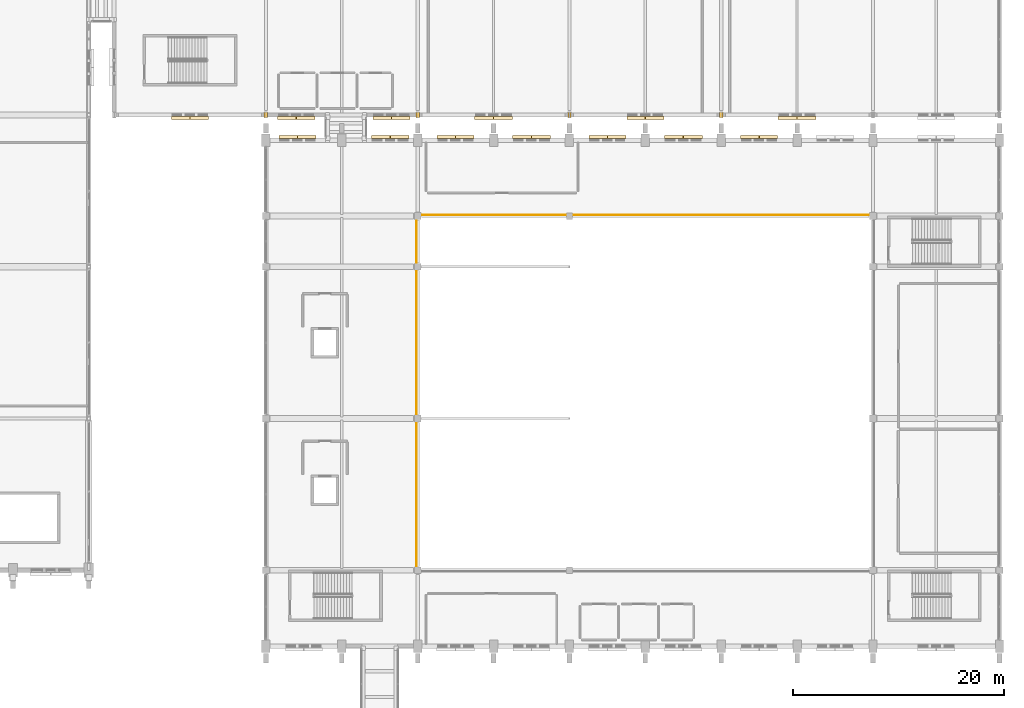
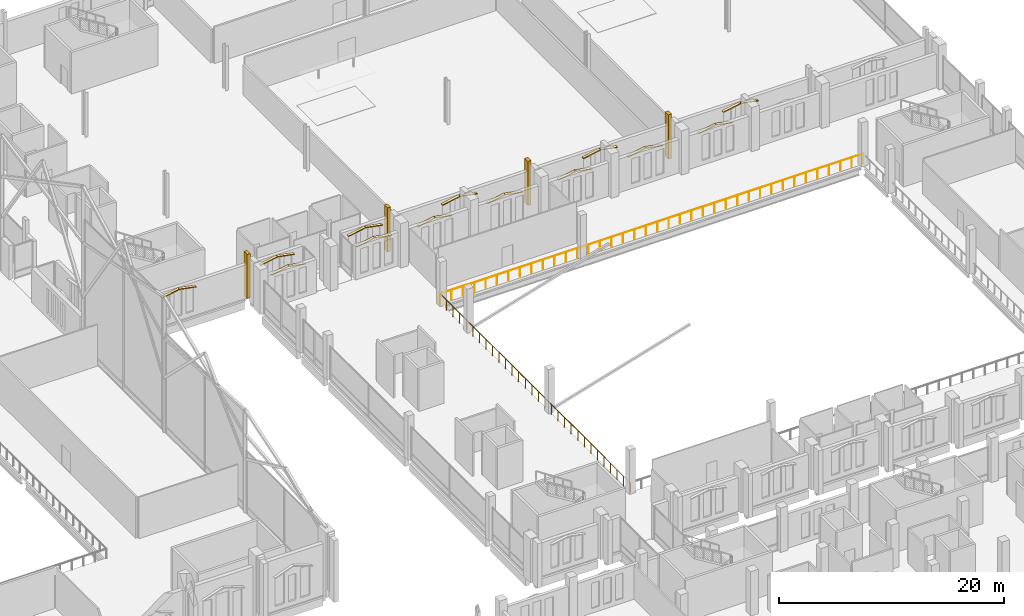
# One storey, part 211 of 220: 30 coverings, 2 railings.
"""IFC4 building model written with IfcOpenShell, lengths in metres."""

from ifc_helpers import new_model, si_unit, direction, frame, origin, origin_2d, place, context, subcontext, project, spatial, polyline, circle, outline, extrude, material, layer, layer_set, type_object, element, save


model = new_model("IFC4")

# Units and contexts
model_context = context("Model", 3, precision=1e-05, world=origin(), true_north=direction((0.0, 1.0)))
body_context = subcontext(model_context, "Body", "Model", "MODEL_VIEW")
ifc_project = project(units=[si_unit("LENGTHUNIT", "METRE"), si_unit("AREAUNIT", "SQUARE_METRE"), si_unit("VOLUMEUNIT", "CUBIC_METRE"), si_unit("PLANEANGLEUNIT", "RADIAN"), si_unit("MASSUNIT", "GRAM", prefix="KILO")], contexts=[model_context])

# Site, building, storey
site_placement = place(None, origin())
site = spatial("IfcSite", under=ifc_project, at=site_placement, CompositionType="ELEMENT")
building_placement = place(site_placement, origin())
building = spatial("IfcBuilding", under=site, at=building_placement, Name="Cendralis Lancet Convention Centre", CompositionType="ELEMENT")
storey_placement = place(building_placement, frame((0.0, 0.0, 5.39990234375)))
storey = spatial("IfcBuildingStorey", under=building, at=storey_placement, Name="L01", CompositionType="ELEMENT", Elevation=5.39990234375)

# Coverings
ifc_material_1 = material(Name="Warm buff sandstone chevron cassette", Category="masonry")
ifc_layer = layer(ifc_material_1, 0.06005859375, Name="Warm buff sandstone chevron cassette")
ifc_layer_set = layer_set([ifc_layer], Name="Warm buff sandstone chevron cassette")
covering_type = type_object("IfcCoveringType", Name="ARC-CV-CLAD1", PredefinedType="CLADDING", material=ifc_layer_set)
for number, where, z_axis, x_axis, name in (
    (1, (140.444091796875, 91.64990234375, 3.27001953125), (-0.187993527685, 0.0, 0.982170267086), (0.0, -1.0, 0.0), "L01 Gothic Pointed Lancet Hood-Mould #0117L"),
    (2, (142.214111328125, 91.64990234375, 3.60498046875), (0.187993527685, 0.0, 0.982170267086), (0.0, -1.0, 0.0), "L01 Gothic Pointed Lancet Hood-Mould #0118R"),
):
    element("IfcCovering", number, at=place(storey_placement, frame(where, z_axis=z_axis, x_axis=x_axis)), inside=storey, type_object=covering_type, Name=name, PredefinedType="CLADDING", context=body_context, shape_type="SweptSolid", body=[
        extrude(outline(polyline([(0.0, 0.0), (0.284912109375, 0.0), (0.284912109375, 1.7817684556784807), (0.0, 1.7817684556784807), (0.0, 0.0)])), origin(), (0.0, 0.0, -1.0), 0.090087890625),
    ])
covering_1_placement = place(storey_placement, frame((149.196044921875, 91.64990234375, 3.27001953125), z_axis=(-0.183932374671, 0.0, 0.982938900211), x_axis=(0.0, -1.0, 0.0)))
element("IfcCovering", 3, at=covering_1_placement, inside=storey, type_object=covering_type, Name="L01 Gothic Pointed Lancet Hood-Mould #0119L", PredefinedType="CLADDING", context=body_context, shape_type="SweptSolid", body=[
    extrude(outline(polyline([(0.0, 0.0), (0.284912109375, 0.0), (0.284912109375, 1.8211091880847667), (0.0, 1.8211091880847667), (0.0, 0.0)])), origin(), (0.0, 0.0, -1.0), 0.090087890625),
])
covering_2_placement = place(storey_placement, frame((151.006103515625, 91.64990234375, 3.60498046875), z_axis=(0.183956615362, 0.0, 0.982934363864), x_axis=(0.0, -1.0, 0.0)))
element("IfcCovering", 4, at=covering_2_placement, inside=storey, type_object=covering_type, Name="L01 Gothic Pointed Lancet Hood-Mould #0120R", PredefinedType="CLADDING", context=body_context, shape_type="SweptSolid", body=[
    extrude(outline(polyline([(0.0, 0.0), (0.284912109375, 0.0), (0.284912109375, 1.8208692133210493), (0.0, 1.8208692133210493), (0.0, 0.0)])), origin(), (0.0, 0.0, -1.0), 0.090087890625),
])
for number, where, z_axis, x_axis, name in (
    (5, (155.43994140625, 91.64990234375, 3.27001953125), (-0.187993527685, 0.0, 0.982170267086), (0.0, -1.0, 0.0), "L01 Gothic Pointed Lancet Hood-Mould #0121L"),
    (6, (157.2099609375, 91.64990234375, 3.60498046875), (0.187993527685, 0.0, 0.982170267086), (0.0, -1.0, 0.0), "L01 Gothic Pointed Lancet Hood-Mould #0122R"),
):
    element("IfcCovering", number, at=place(storey_placement, frame(where, z_axis=z_axis, x_axis=x_axis)), inside=storey, type_object=covering_type, Name=name, PredefinedType="CLADDING", context=body_context, shape_type="SweptSolid", body=[
        extrude(outline(polyline([(0.0, 0.0), (0.284912109375, 0.0), (0.284912109375, 1.7817684556784807), (0.0, 1.7817684556784807), (0.0, 0.0)])), origin(), (0.0, 0.0, -1.0), 0.090087890625),
    ])
covering_3_placement = place(storey_placement, frame((162.60009765625, 91.64990234375, 3.27001953125), z_axis=(-0.183956615362, 0.0, 0.982934363864), x_axis=(0.0, -1.0, 0.0)))
element("IfcCovering", 7, at=covering_3_placement, inside=storey, type_object=covering_type, Name="L01 Gothic Pointed Lancet Hood-Mould #0123L", PredefinedType="CLADDING", context=body_context, shape_type="SweptSolid", body=[
    extrude(outline(polyline([(0.0, 0.0), (0.284912109375, 0.0), (0.284912109375, 1.8208692133210493), (0.0, 1.8208692133210493), (0.0, 0.0)])), origin(), (0.0, 0.0, -1.0), 0.090087890625),
])
covering_4_placement = place(storey_placement, frame((164.409912109375, 91.64990234375, 3.60498046875), z_axis=(0.183932374671, 0.0, 0.982938900211), x_axis=(0.0, -1.0, 0.0)))
element("IfcCovering", 8, at=covering_4_placement, inside=storey, type_object=covering_type, Name="L01 Gothic Pointed Lancet Hood-Mould #0124R", PredefinedType="CLADDING", context=body_context, shape_type="SweptSolid", body=[
    extrude(outline(polyline([(0.0, 0.0), (0.284912109375, 0.0), (0.284912109375, 1.8211091880847667), (0.0, 1.8211091880847667), (0.0, 0.0)])), origin(), (0.0, 0.0, -1.0), 0.090087890625),
])
for number, where, z_axis, x_axis, name in (
    (9, (169.840087890625, 91.64990234375, 3.27001953125), (-0.187993527685, 0.0, 0.982170267086), (0.0, -1.0, 0.0), "L01 Gothic Pointed Lancet Hood-Mould #0125L"),
    (10, (171.610107421875, 91.64990234375, 3.60498046875), (0.187993527685, 0.0, 0.982170267086), (0.0, -1.0, 0.0), "L01 Gothic Pointed Lancet Hood-Mould #0126R"),
):
    element("IfcCovering", number, at=place(storey_placement, frame(where, z_axis=z_axis, x_axis=x_axis)), inside=storey, type_object=covering_type, Name=name, PredefinedType="CLADDING", context=body_context, shape_type="SweptSolid", body=[
        extrude(outline(polyline([(0.0, 0.0), (0.284912109375, 0.0), (0.284912109375, 1.7817684556784807), (0.0, 1.7817684556784807), (0.0, 0.0)])), origin(), (0.0, 0.0, -1.0), 0.090087890625),
    ])
for number, where, z_axis, x_axis, name in (
    (11, (177.0, 91.64990234375, 3.27001953125), (-0.183932374671, 0.0, 0.982938900211), (0.0, -1.0, 0.0), "L01 Gothic Pointed Lancet Hood-Mould #0127L"),
    (12, (178.81005859375, 91.64990234375, 3.60498046875), (0.183932374671, 0.0, 0.982938900211), (0.0, -1.0, 0.0), "L01 Gothic Pointed Lancet Hood-Mould #0128R"),
):
    element("IfcCovering", number, at=place(storey_placement, frame(where, z_axis=z_axis, x_axis=x_axis)), inside=storey, type_object=covering_type, Name=name, PredefinedType="CLADDING", context=body_context, shape_type="SweptSolid", body=[
        extrude(outline(polyline([(0.0, 0.0), (0.284912109375, 0.0), (0.284912109375, 1.8211091880847667), (0.0, 1.8211091880847667), (0.0, 0.0)])), origin(), (0.0, 0.0, -1.0), 0.090087890625),
    ])
for number, where, z_axis, x_axis, name in (
    (13, (184.239990234375, 91.64990234375, 3.27001953125), (-0.187993527685, 0.0, 0.982170267086), (0.0, -1.0, 0.0), "L01 Gothic Pointed Lancet Hood-Mould #0129L"),
    (14, (186.010009765625, 91.64990234375, 3.60498046875), (0.187993527685, 0.0, 0.982170267086), (0.0, -1.0, 0.0), "L01 Gothic Pointed Lancet Hood-Mould #0130R"),
):
    element("IfcCovering", number, at=place(storey_placement, frame(where, z_axis=z_axis, x_axis=x_axis)), inside=storey, type_object=covering_type, Name=name, PredefinedType="CLADDING", context=body_context, shape_type="SweptSolid", body=[
        extrude(outline(polyline([(0.0, 0.0), (0.284912109375, 0.0), (0.284912109375, 1.7817684556784807), (0.0, 1.7817684556784807), (0.0, 0.0)])), origin(), (0.0, 0.0, -1.0), 0.090087890625),
    ])
for number, where, z_axis, x_axis, name in (
    (15, (133.760009765625, 93.159912109375, 3.27001953125), (0.187993527685, 0.0, 0.982170267086), (0.0, 1.0, 0.0), "L01 Gothic Pointed Lancet Hood-Mould #0189L"),
    (16, (131.989990234375, 93.159912109375, 3.60498046875), (-0.187993527685, 0.0, 0.982170267086), (0.0, 1.0, 0.0), "L01 Gothic Pointed Lancet Hood-Mould #0190R"),
    (17, (152.881103515625, 93.159912109375, 3.27001953125), (0.187993527685, 0.0, 0.982170267086), (0.0, 1.0, 0.0), "L01 Gothic Pointed Lancet Hood-Mould #0191L"),
    (18, (151.111083984375, 93.159912109375, 3.60498046875), (-0.187993527685, 0.0, 0.982170267086), (0.0, 1.0, 0.0), "L01 Gothic Pointed Lancet Hood-Mould #0192R"),
    (19, (143.839111328125, 93.159912109375, 3.27001953125), (0.187993527685, 0.0, 0.982170267086), (0.0, 1.0, 0.0), "L01 Gothic Pointed Lancet Hood-Mould #0193L"),
    (20, (142.069091796875, 93.159912109375, 3.60498046875), (-0.187993527685, 0.0, 0.982170267086), (0.0, 1.0, 0.0), "L01 Gothic Pointed Lancet Hood-Mould #0194R"),
):
    element("IfcCovering", number, at=place(storey_placement, frame(where, z_axis=z_axis, x_axis=x_axis)), inside=storey, type_object=covering_type, Name=name, PredefinedType="CLADDING", context=body_context, shape_type="SweptSolid", body=[
        extrude(outline(polyline([(0.0, 0.0), (0.28515625, 0.0), (0.28515625, 1.7817684556784807), (0.0, 1.7817684556784807), (0.0, 0.0)])), origin(), (0.0, 0.0, -1.0), 0.090087890625),
    ])
for number, where, z_axis, x_axis, name in (
    (21, (162.60009765625, 93.159912109375, 3.27001953125), (0.183932374671, 0.0, 0.982938900211), (0.0, 1.0, 0.0), "L01 Gothic Pointed Lancet Hood-Mould #0195L"),
    (22, (160.7900390625, 93.159912109375, 3.60498046875), (-0.183932374671, 0.0, 0.982938900211), (0.0, 1.0, 0.0), "L01 Gothic Pointed Lancet Hood-Mould #0196R"),
):
    element("IfcCovering", number, at=place(storey_placement, frame(where, z_axis=z_axis, x_axis=x_axis)), inside=storey, type_object=covering_type, Name=name, PredefinedType="CLADDING", context=body_context, shape_type="SweptSolid", body=[
        extrude(outline(polyline([(0.0, 0.0), (0.28515625, 0.0), (0.28515625, 1.8211091880847667), (0.0, 1.8211091880847667), (0.0, 0.0)])), origin(), (0.0, 0.0, -1.0), 0.090087890625),
    ])
for number, where, z_axis, x_axis, name in (
    (23, (176.9599609375, 93.159912109375, 3.27001953125), (0.187993527685, 0.0, 0.982170267086), (0.0, 1.0, 0.0), "L01 Gothic Pointed Lancet Hood-Mould #0197L"),
    (24, (175.18994140625, 93.159912109375, 3.60498046875), (-0.187993527685, 0.0, 0.982170267086), (0.0, 1.0, 0.0), "L01 Gothic Pointed Lancet Hood-Mould #0198R"),
):
    element("IfcCovering", number, at=place(storey_placement, frame(where, z_axis=z_axis, x_axis=x_axis)), inside=storey, type_object=covering_type, Name=name, PredefinedType="CLADDING", context=body_context, shape_type="SweptSolid", body=[
        extrude(outline(polyline([(0.0, 0.0), (0.28515625, 0.0), (0.28515625, 1.7817684556784807), (0.0, 1.7817684556784807), (0.0, 0.0)])), origin(), (0.0, 0.0, -1.0), 0.090087890625),
    ])
covering_5_placement = place(storey_placement, frame((191.39990234375, 93.159912109375, 3.27001953125), z_axis=(0.183956615362, 0.0, 0.982934363864), x_axis=(0.0, 1.0, 0.0)))
element("IfcCovering", 25, at=covering_5_placement, inside=storey, type_object=covering_type, Name="L01 Gothic Pointed Lancet Hood-Mould #0199L", PredefinedType="CLADDING", context=body_context, shape_type="SweptSolid", body=[
    extrude(outline(polyline([(0.0, 0.0), (0.28515625, 0.0), (0.28515625, 1.8208692133210491), (0.0, 1.8208692133210491), (0.0, 0.0)])), origin(), (0.0, 0.0, -1.0), 0.090087890625),
])
covering_6_placement = place(storey_placement, frame((189.590087890625, 93.159912109375, 3.60498046875), z_axis=(-0.183932374671, 0.0, 0.982938900211), x_axis=(0.0, 1.0, 0.0)))
element("IfcCovering", 26, at=covering_6_placement, inside=storey, type_object=covering_type, Name="L01 Gothic Pointed Lancet Hood-Mould #0200R", PredefinedType="CLADDING", context=body_context, shape_type="SweptSolid", body=[
    extrude(outline(polyline([(0.0, 0.0), (0.28515625, 0.0), (0.28515625, 1.8211091880847667), (0.0, 1.8211091880847667), (0.0, 0.0)])), origin(), (0.0, 0.0, -1.0), 0.090087890625),
])
covering_7_placement = place(storey_placement, origin())
element("IfcCovering", 27, at=covering_7_placement, inside=storey, type_object=covering_type, Name="Exterior Column Stone Fire-Casing L01 #045", PredefinedType="CLADDING", context=body_context, shape_type="SweptSolid", body=[
    extrude(outline(polyline([(139.0380859375, 93.31298828125), (139.362060546875, 93.31298828125), (139.362060546875, 93.886962890625), (139.0380859375, 93.886962890625), (139.0380859375, 93.31298828125)])), origin(), (0.0, 0.0, 1.0), 4.800048828125),
])
covering_8_placement = place(storey_placement, origin())
element("IfcCovering", 28, at=covering_8_placement, inside=storey, type_object=covering_type, Name="Exterior Column Stone Fire-Casing L01 #053", PredefinedType="CLADDING", context=body_context, shape_type="SweptSolid", body=[
    extrude(outline(polyline([(153.43798828125, 93.31298828125), (153.761962890625, 93.31298828125), (153.761962890625, 93.886962890625), (153.43798828125, 93.886962890625), (153.43798828125, 93.31298828125)])), origin(), (0.0, 0.0, 1.0), 4.800048828125),
])
covering_9_placement = place(storey_placement, origin())
element("IfcCovering", 29, at=covering_9_placement, inside=storey, type_object=covering_type, Name="Exterior Column Stone Fire-Casing L01 #059", PredefinedType="CLADDING", context=body_context, shape_type="SweptSolid", body=[
    extrude(outline(polyline([(167.837890625, 93.31298828125), (168.162109375, 93.31298828125), (168.162109375, 93.886962890625), (167.837890625, 93.886962890625), (167.837890625, 93.31298828125)])), origin(), (0.0, 0.0, 1.0), 4.800048828125),
])
covering_10_placement = place(storey_placement, origin())
element("IfcCovering", 30, at=covering_10_placement, inside=storey, type_object=covering_type, Name="Exterior Column Stone Fire-Casing L01 #065", PredefinedType="CLADDING", context=body_context, shape_type="SweptSolid", body=[
    extrude(outline(polyline([(182.238037109375, 93.31298828125), (182.56201171875, 93.31298828125), (182.56201171875, 93.886962890625), (182.238037109375, 93.886962890625), (182.238037109375, 93.31298828125)])), origin(), (0.0, 0.0, 1.0), 4.800048828125),
])

# Railings
ifc_material_2 = material(Name="Steel S355", Category="steel")
railing_type = type_object("IfcRailingType", Name="ARC-RL-IG01", PredefinedType="GUARDRAIL", material=ifc_material_2)
railing_1_placement = place(storey_placement, frame((196.89990234375, 84.10009765625, 0.0)))
element("IfcRailing", 31, at=railing_1_placement, inside=storey, type_object=railing_type, Name="L01 Atrium Void Guardrail GD-IN1 #007", PredefinedType="GUARDRAIL", context=body_context, shape_type="SweptSolid", body=[
    extrude(circle(Radius=0.02392578125, at=origin_2d()), frame((0.0, 0.0, 1.076171875), z_axis=(-1.0, 0.0, 0.0), x_axis=(0.0, -1.0, 0.0)), (0.0, 0.0, 1.0), 43.39990234375),
    extrude(circle(Radius=0.02099609375, at=origin_2d()), origin(), (0.0, 0.0, 1.0), 1.052001953125),
    extrude(circle(Radius=0.02099609375, at=origin_2d()), frame((-1.1728515625, 0.0, 0.0)), (0.0, 0.0, 1.0), 1.052001953125),
    extrude(circle(Radius=0.02099609375, at=origin_2d()), frame((-2.345947265625, 0.0, 0.0)), (0.0, 0.0, 1.0), 1.052001953125),
    extrude(circle(Radius=0.02099609375, at=origin_2d()), frame((-3.518798828125, 0.0, 0.0)), (0.0, 0.0, 1.0), 1.052001953125),
    extrude(circle(Radius=0.02099609375, at=origin_2d()), frame((-4.69189453125, 0.0, 0.0)), (0.0, 0.0, 1.0), 1.052001953125),
    extrude(circle(Radius=0.02099609375, at=origin_2d()), frame((-5.86474609375, 0.0, 0.0)), (0.0, 0.0, 1.0), 1.052001953125),
    extrude(circle(Radius=0.02099609375, at=origin_2d()), frame((-7.037841796875, 0.0, 0.0)), (0.0, 0.0, 1.0), 1.052001953125),
    extrude(circle(Radius=0.02099609375, at=origin_2d()), frame((-8.210693359375, 0.0, 0.0)), (0.0, 0.0, 1.0), 1.052001953125),
    extrude(circle(Radius=0.02099609375, at=origin_2d()), frame((-9.3837890625, 0.0, 0.0)), (0.0, 0.0, 1.0), 1.052001953125),
    extrude(circle(Radius=0.02099609375, at=origin_2d()), frame((-10.556640625, 0.0, 0.0)), (0.0, 0.0, 1.0), 1.052001953125),
    extrude(circle(Radius=0.02099609375, at=origin_2d()), frame((-11.729736328125, 0.0, 0.0)), (0.0, 0.0, 1.0), 1.052001953125),
    extrude(circle(Radius=0.02099609375, at=origin_2d()), frame((-12.902587890625, 0.0, 0.0)), (0.0, 0.0, 1.0), 1.052001953125),
    extrude(circle(Radius=0.02099609375, at=origin_2d()), frame((-14.07568359375, 0.0, 0.0)), (0.0, 0.0, 1.0), 1.052001953125),
    extrude(circle(Radius=0.02099609375, at=origin_2d()), frame((-15.24853515625, 0.0, 0.0)), (0.0, 0.0, 1.0), 1.052001953125),
    extrude(circle(Radius=0.02099609375, at=origin_2d()), frame((-16.421630859375, 0.0, 0.0)), (0.0, 0.0, 1.0), 1.052001953125),
    extrude(circle(Radius=0.02099609375, at=origin_2d()), frame((-17.594482421875, 0.0, 0.0)), (0.0, 0.0, 1.0), 1.052001953125),
    extrude(circle(Radius=0.02099609375, at=origin_2d()), frame((-18.767578125, 0.0, 0.0)), (0.0, 0.0, 1.0), 1.052001953125),
    extrude(circle(Radius=0.02099609375, at=origin_2d()), frame((-19.9404296875, 0.0, 0.0)), (0.0, 0.0, 1.0), 1.052001953125),
    extrude(circle(Radius=0.02099609375, at=origin_2d()), frame((-21.113525390625, 0.0, 0.0)), (0.0, 0.0, 1.0), 1.052001953125),
    extrude(circle(Radius=0.02099609375, at=origin_2d()), frame((-22.286376953125, 0.0, 0.0)), (0.0, 0.0, 1.0), 1.052001953125),
    extrude(circle(Radius=0.02099609375, at=origin_2d()), frame((-23.45947265625, 0.0, 0.0)), (0.0, 0.0, 1.0), 1.052001953125),
    extrude(circle(Radius=0.02099609375, at=origin_2d()), frame((-24.63232421875, 0.0, 0.0)), (0.0, 0.0, 1.0), 1.052001953125),
    extrude(circle(Radius=0.02099609375, at=origin_2d()), frame((-25.805419921875, 0.0, 0.0)), (0.0, 0.0, 1.0), 1.052001953125),
    extrude(circle(Radius=0.02099609375, at=origin_2d()), frame((-26.978271484375, 0.0, 0.0)), (0.0, 0.0, 1.0), 1.052001953125),
    extrude(circle(Radius=0.02099609375, at=origin_2d()), frame((-28.1513671875, 0.0, 0.0)), (0.0, 0.0, 1.0), 1.052001953125),
    extrude(circle(Radius=0.02099609375, at=origin_2d()), frame((-29.32421875, 0.0, 0.0)), (0.0, 0.0, 1.0), 1.052001953125),
    extrude(circle(Radius=0.02099609375, at=origin_2d()), frame((-30.497314453125, 0.0, 0.0)), (0.0, 0.0, 1.0), 1.052001953125),
    extrude(circle(Radius=0.02099609375, at=origin_2d()), frame((-31.670166015625, 0.0, 0.0)), (0.0, 0.0, 1.0), 1.052001953125),
    extrude(circle(Radius=0.02099609375, at=origin_2d()), frame((-32.84326171875, 0.0, 0.0)), (0.0, 0.0, 1.0), 1.052001953125),
    extrude(circle(Radius=0.02099609375, at=origin_2d()), frame((-34.01611328125, 0.0, 0.0)), (0.0, 0.0, 1.0), 1.052001953125),
    extrude(circle(Radius=0.02099609375, at=origin_2d()), frame((-35.189208984375, 0.0, 0.0)), (0.0, 0.0, 1.0), 1.052001953125),
    extrude(circle(Radius=0.02099609375, at=origin_2d()), frame((-36.362060546875, 0.0, 0.0)), (0.0, 0.0, 1.0), 1.052001953125),
    extrude(circle(Radius=0.02099609375, at=origin_2d()), frame((-37.53515625, 0.0, 0.0)), (0.0, 0.0, 1.0), 1.052001953125),
    extrude(circle(Radius=0.02099609375, at=origin_2d()), frame((-38.7080078125, 0.0, 0.0)), (0.0, 0.0, 1.0), 1.052001953125),
    extrude(circle(Radius=0.02099609375, at=origin_2d()), frame((-39.881103515625, 0.0, 0.0)), (0.0, 0.0, 1.0), 1.052001953125),
    extrude(circle(Radius=0.02099609375, at=origin_2d()), frame((-41.053955078125, 0.0, 0.0)), (0.0, 0.0, 1.0), 1.052001953125),
    extrude(circle(Radius=0.02099609375, at=origin_2d()), frame((-42.22705078125, 0.0, 0.0)), (0.0, 0.0, 1.0), 1.052001953125),
    extrude(circle(Radius=0.02099609375, at=origin_2d()), frame((-43.39990234375, 0.0, 0.0)), (0.0, 0.0, 1.0), 1.052001953125),
])
railing_2_placement = place(storey_placement, frame((153.5, 84.10009765625, 0.0)))
element("IfcRailing", 32, at=railing_2_placement, inside=storey, type_object=railing_type, Name="L01 Atrium Void Guardrail GD-IN1 #008", PredefinedType="GUARDRAIL", context=body_context, shape_type="SweptSolid", body=[
    extrude(circle(Radius=0.02392578125, at=origin_2d()), frame((0.0, 0.0, 1.076171875), z_axis=(0.0, -1.0, 0.0), x_axis=(1.0, 0.0, 0.0)), (0.0, 0.0, 1.0), 33.800048828125),
    extrude(circle(Radius=0.02099609375, at=origin_2d()), origin(), (0.0, 0.0, 1.0), 1.052001953125),
    extrude(circle(Radius=0.02099609375, at=origin_2d()), frame((0.0, -1.16552734375, 0.0)), (0.0, 0.0, 1.0), 1.052001953125),
    extrude(circle(Radius=0.02099609375, at=origin_2d()), frame((0.0, -2.3310546875, 0.0)), (0.0, 0.0, 1.0), 1.052001953125),
    extrude(circle(Radius=0.02099609375, at=origin_2d()), frame((0.0, -3.49658203125, 0.0)), (0.0, 0.0, 1.0), 1.052001953125),
    extrude(circle(Radius=0.02099609375, at=origin_2d()), frame((0.0, -4.662109375, 0.0)), (0.0, 0.0, 1.0), 1.052001953125),
    extrude(circle(Radius=0.02099609375, at=origin_2d()), frame((0.0, -5.82763671875, 0.0)), (0.0, 0.0, 1.0), 1.052001953125),
    extrude(circle(Radius=0.02099609375, at=origin_2d()), frame((0.0, -6.9931640625, 0.0)), (0.0, 0.0, 1.0), 1.052001953125),
    extrude(circle(Radius=0.02099609375, at=origin_2d()), frame((0.0, -8.15869140625, 0.0)), (0.0, 0.0, 1.0), 1.052001953125),
    extrude(circle(Radius=0.02099609375, at=origin_2d()), frame((0.0, -9.32421875, 0.0)), (0.0, 0.0, 1.0), 1.052001953125),
    extrude(circle(Radius=0.02099609375, at=origin_2d()), frame((0.0, -10.48974609375, 0.0)), (0.0, 0.0, 1.0), 1.052001953125),
    extrude(circle(Radius=0.02099609375, at=origin_2d()), frame((0.0, -11.6552734375, 0.0)), (0.0, 0.0, 1.0), 1.052001953125),
    extrude(circle(Radius=0.02099609375, at=origin_2d()), frame((0.0, -12.82080078125, 0.0)), (0.0, 0.0, 1.0), 1.052001953125),
    extrude(circle(Radius=0.02099609375, at=origin_2d()), frame((0.0, -13.986328125, 0.0)), (0.0, 0.0, 1.0), 1.052001953125),
    extrude(circle(Radius=0.02099609375, at=origin_2d()), frame((0.0, -15.15185546875, 0.0)), (0.0, 0.0, 1.0), 1.052001953125),
    extrude(circle(Radius=0.02099609375, at=origin_2d()), frame((0.0, -16.3173828125, 0.0)), (0.0, 0.0, 1.0), 1.052001953125),
    extrude(circle(Radius=0.02099609375, at=origin_2d()), frame((0.0, -17.482666015625, 0.0)), (0.0, 0.0, 1.0), 1.052001953125),
    extrude(circle(Radius=0.02099609375, at=origin_2d()), frame((0.0, -18.648193359375, 0.0)), (0.0, 0.0, 1.0), 1.052001953125),
    extrude(circle(Radius=0.02099609375, at=origin_2d()), frame((0.0, -19.813720703125, 0.0)), (0.0, 0.0, 1.0), 1.052001953125),
    extrude(circle(Radius=0.02099609375, at=origin_2d()), frame((0.0, -20.979248046875, 0.0)), (0.0, 0.0, 1.0), 1.052001953125),
    extrude(circle(Radius=0.02099609375, at=origin_2d()), frame((0.0, -22.144775390625, 0.0)), (0.0, 0.0, 1.0), 1.052001953125),
    extrude(circle(Radius=0.02099609375, at=origin_2d()), frame((0.0, -23.310302734375, 0.0)), (0.0, 0.0, 1.0), 1.052001953125),
    extrude(circle(Radius=0.02099609375, at=origin_2d()), frame((0.0, -24.475830078125, 0.0)), (0.0, 0.0, 1.0), 1.052001953125),
    extrude(circle(Radius=0.02099609375, at=origin_2d()), frame((0.0, -25.641357421875, 0.0)), (0.0, 0.0, 1.0), 1.052001953125),
    extrude(circle(Radius=0.02099609375, at=origin_2d()), frame((0.0, -26.806884765625, 0.0)), (0.0, 0.0, 1.0), 1.052001953125),
    extrude(circle(Radius=0.02099609375, at=origin_2d()), frame((0.0, -27.972412109375, 0.0)), (0.0, 0.0, 1.0), 1.052001953125),
    extrude(circle(Radius=0.02099609375, at=origin_2d()), frame((0.0, -29.137939453125, 0.0)), (0.0, 0.0, 1.0), 1.052001953125),
    extrude(circle(Radius=0.02099609375, at=origin_2d()), frame((0.0, -30.303466796875, 0.0)), (0.0, 0.0, 1.0), 1.052001953125),
    extrude(circle(Radius=0.02099609375, at=origin_2d()), frame((0.0, -31.468994140625, 0.0)), (0.0, 0.0, 1.0), 1.052001953125),
    extrude(circle(Radius=0.02099609375, at=origin_2d()), frame((0.0, -32.634521484375, 0.0)), (0.0, 0.0, 1.0), 1.052001953125),
    extrude(circle(Radius=0.02099609375, at=origin_2d()), frame((0.0, -33.800048828125, 0.0)), (0.0, 0.0, 1.0), 1.052001953125),
])

save(model, "model.ifc")
